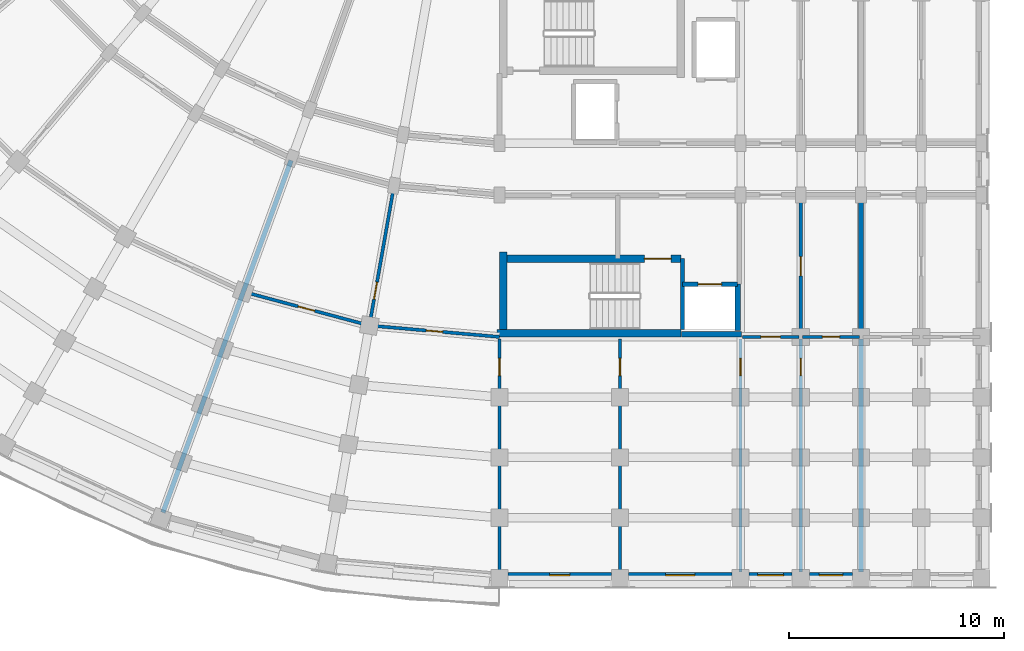
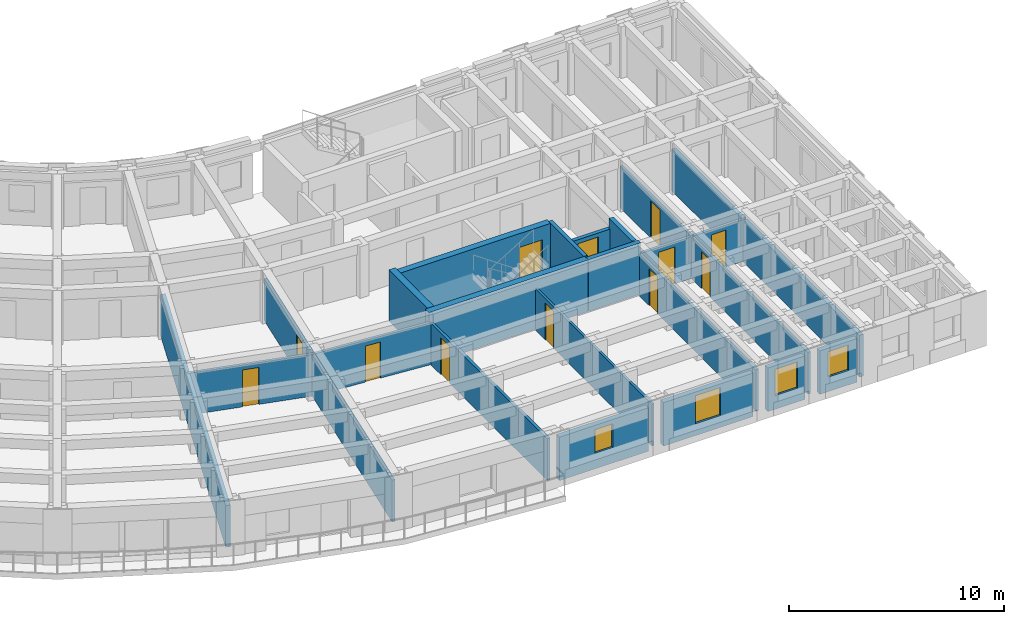
# One storey, part 36 of 76: 24 walls, 12 doors, 4 windows, 16 openings.
"""IFC4 building model written with IfcOpenShell, lengths in metres."""

from ifc_helpers import new_model, si_unit, direction, frame, frame_2d, origin, place, context, subcontext, project, spatial, rectangle, extrude, material, layer, layer_set, type_object, element, fill, save


model = new_model("IFC4")

# Units and contexts
model_context = context("Model", 3, precision=1e-05, world=origin(), true_north=direction((0.0, 1.0)))
body_context = subcontext(model_context, "Body", "Model", "MODEL_VIEW")
ifc_project = project(units=[si_unit("LENGTHUNIT", "METRE"), si_unit("AREAUNIT", "SQUARE_METRE"), si_unit("VOLUMEUNIT", "CUBIC_METRE"), si_unit("PLANEANGLEUNIT", "RADIAN"), si_unit("MASSUNIT", "GRAM", prefix="KILO")], contexts=[model_context])

# Site, building, storey
site_placement = place(None, origin())
site = spatial("IfcSite", under=ifc_project, at=site_placement, CompositionType="ELEMENT")
building_placement = place(site_placement, origin())
building = spatial("IfcBuilding", under=site, at=building_placement, Name="Kiranvali Square Residences", CompositionType="ELEMENT")
storey_placement = place(building_placement, frame((0.0, 0.0, 8.699951171875)))
storey = spatial("IfcBuildingStorey", under=building, at=storey_placement, Name="L02", CompositionType="ELEMENT", Elevation=8.699951171875)

# Walls
ifc_material_1 = material(Name="Autoclaved aerated concrete blockwork masonry", Category="masonry")
ifc_layer_1 = layer(ifc_material_1, 0.219970703125)
ifc_layer_set_1 = layer_set([ifc_layer_1], Name="Autoclaved aerated concrete blockwork masonry")
wall_type_1 = type_object("IfcWallType", Name="WL-DEM-220", PredefinedType="STANDARD", material=ifc_layer_set_1)
wall_1_placement = place(storey_placement, frame((65.0, 19.949951171875, 0.0), z_axis=(0.0, 0.0, 1.0), x_axis=(0.0, -1.0, 0.0)))
element("IfcWall", 1, at=wall_1_placement, inside=storey, type_object=wall_type_1, Name="L02 architectural wall WL-L02-C-A1TO1-2", PredefinedType="STANDARD", context=body_context, shape_type="SweptSolid", body=[
    extrude(rectangle(XDim=6.530029296875, YDim=0.219970703125, at=frame_2d((3.26513671875, 0.0))), origin(), (0.0, 0.0, 1.0), 2.3720703125),
])
wall_2_placement = place(storey_placement, frame((65.0, 13.300048828125, 0.0), z_axis=(0.0, 0.0, 1.0), x_axis=(0.0, -1.0, 0.0)))
element("IfcWall", 2, at=wall_2_placement, inside=storey, type_object=wall_type_1, Name="L02 architectural wall WL-L02-C-A1TO2-2", PredefinedType="STANDARD", context=body_context, shape_type="SweptSolid", body=[
    extrude(rectangle(XDim=10.820068359375, YDim=0.219970703125, at=frame_2d((5.41015625, 0.0))), origin(), (0.0, 0.0, 1.0), 2.3720703125),
])
ifc_layer_2 = layer(ifc_material_1, 0.22998046875)
ifc_layer_set_2 = layer_set([ifc_layer_2], Name="Autoclaved aerated concrete blockwork masonry")
wall_type_2 = type_object("IfcWallType", Name="WL-DEM-230", PredefinedType="STANDARD", material=ifc_layer_set_2)
wall_3_placement = place(storey_placement, frame((38.520751953125, 21.606689453125, 0.0), z_axis=(0.0, 0.0, 1.0), x_axis=(-0.342022120477, -0.939691901159, 0.0)))
element("IfcWall", 3, at=wall_3_placement, inside=storey, type_object=wall_type_2, Name="L02 architectural wall WL-L02-C-RADO-2", PredefinedType="STANDARD", context=body_context, shape_type="SweptSolid", body=[
    extrude(rectangle(XDim=17.419921875, YDim=0.22998046875, at=frame_2d((8.7099609375, 0.0))), origin(), (0.0, 0.0, 1.0), 2.3720703125),
])

# Wall, opening, window
ifc_material_2 = material(Name="Breathable lime-rendered clay brick masonry", Category="masonry")
ifc_layer_3 = layer(ifc_material_2, 0.27490234375)
ifc_layer_set_3 = layer_set([ifc_layer_3], Name="Breathable lime-rendered clay brick masonry")
wall_type_3 = type_object("IfcWallType", Name="WL-EXT-275", PredefinedType="STANDARD", material=ifc_layer_set_3)
wall_4_placement = place(storey_placement, frame((48.603515625, 2.324951171875, 0.0), z_axis=(0.0, 0.0, 1.0), x_axis=(1.0, 0.0, 0.0)))
wall_4 = element("IfcWall", 4, at=wall_4_placement, inside=storey, type_object=wall_type_3, Name="L02 exterior wall C-L02-A1O-0", PredefinedType="STANDARD", context=body_context, shape_type="SweptSolid", body=[
    extrude(rectangle(XDim=4.79296875, YDim=0.27490234375, at=frame_2d((2.396484375, 0.0))), origin(), (0.0, 0.0, 1.0), 2.47216796875),
])
opening_1_placement = place(wall_4_placement, frame((1.92138671875, 0.0, 0.8798828125)))
opening_1 = element("IfcOpeningElement", 5, at=opening_1_placement, cuts=wall_4, Name="Opening W-16", PredefinedType="OPENING", context=body_context, shape_type="SweptSolid", body=[
    extrude(rectangle(XDim=0.949951171875, YDim=1.35009765625, at=frame_2d((0.47509765625, 0.675048828125))), frame((0.0, 0.1474609375, 0.0), z_axis=(0.0, -1.0, 0.0), x_axis=(1.0, 0.0, 0.0)), (0.0, 0.0, 1.0), 0.294921875),
])
ifc_material_3 = material(Name="Solar-control low-e double glazing", Category="glass")
window_type_1 = type_object("IfcWindowType", Name="WIN-RES-950x1350", PartitioningType="SINGLE_PANEL", PredefinedType="WINDOW", material=ifc_material_3)
window_1_placement = place(opening_1_placement, origin())
window_1 = element("IfcWindow", 6, at=window_1_placement, inside=storey, type_object=window_type_1, Name="L02 recessed window C-L02-A1O-0", OverallHeight=1.35009765625, OverallWidth=0.949951171875, PartitioningType="SINGLE_PANEL", PredefinedType="WINDOW", context=body_context, shape_type="SweptSolid", body=[
    extrude(rectangle(XDim=0.949951171875, YDim=1.35009765625, at=frame_2d((0.47509765625, 0.675048828125))), frame((0.0, 0.030029296875, 0.0), z_axis=(0.0, -1.0, 0.0), x_axis=(1.0, 0.0, 0.0)), (0.0, 0.0, 1.0), 0.06005859375),
])
fill(opening_1, window_1)

wall_5_placement = place(storey_placement, frame((54.20361328125, 2.324951171875, 0.0), z_axis=(0.0, 0.0, 1.0), x_axis=(1.0, 0.0, 0.0)))
wall_5 = element("IfcWall", 7, at=wall_5_placement, inside=storey, type_object=wall_type_3, Name="L02 exterior wall C-L02-A1O-1", PredefinedType="STANDARD", context=body_context, shape_type="SweptSolid", body=[
    extrude(rectangle(XDim=4.79296875, YDim=0.27490234375, at=frame_2d((2.396484375, 0.0))), origin(), (0.0, 0.0, 1.0), 2.47216796875),
])
opening_2_placement = place(wall_5_placement, frame((1.721435546875, 0.0, 0.672119140625)))
opening_2 = element("IfcOpeningElement", 8, at=opening_2_placement, cuts=wall_5, Name="Opening W-14", PredefinedType="OPENING", context=body_context, shape_type="SweptSolid", body=[
    extrude(rectangle(XDim=1.35009765625, YDim=1.60009765625, at=frame_2d((0.675048828125, 0.800048828125))), frame((0.0, 0.1474609375, 0.0), z_axis=(0.0, -1.0, 0.0), x_axis=(1.0, 0.0, 0.0)), (0.0, 0.0, 1.0), 0.294921875),
])
window_type_2 = type_object("IfcWindowType", Name="WIN-RES-1350x1600", PartitioningType="DOUBLE_PANEL_VERTICAL", PredefinedType="WINDOW", material=ifc_material_3)
window_2_placement = place(opening_2_placement, origin())
window_2 = element("IfcWindow", 9, at=window_2_placement, inside=storey, type_object=window_type_2, Name="L02 recessed window C-L02-A1O-1", OverallHeight=1.60009765625, OverallWidth=1.35009765625, PartitioningType="DOUBLE_PANEL_VERTICAL", PredefinedType="WINDOW", context=body_context, shape_type="SweptSolid", body=[
    extrude(rectangle(XDim=1.35009765625, YDim=1.60009765625, at=frame_2d((0.675048828125, 0.800048828125))), frame((0.0, 0.030029296875, 0.0), z_axis=(0.0, -1.0, 0.0), x_axis=(1.0, 0.0, 0.0)), (0.0, 0.0, 1.0), 0.06005859375),
])
fill(opening_2, window_2)

wall_6_placement = place(storey_placement, frame((59.803466796875, 2.324951171875, 0.0), z_axis=(0.0, 0.0, 1.0), x_axis=(1.0, 0.0, 0.0)))
wall_6 = element("IfcWall", 10, at=wall_6_placement, inside=storey, type_object=wall_type_3, Name="L02 exterior wall C-L02-A1O-2", PredefinedType="STANDARD", context=body_context, shape_type="SweptSolid", body=[
    extrude(rectangle(XDim=1.992919921875, YDim=0.27490234375, at=frame_2d((0.99658203125, 0.0))), origin(), (0.0, 0.0, 1.0), 2.47216796875),
])
opening_3_placement = place(wall_6_placement, frame((0.396484375, 0.0, 0.77197265625)))
opening_3 = element("IfcOpeningElement", 11, at=opening_3_placement, cuts=wall_6, Name="Opening W-06", PredefinedType="OPENING", context=body_context, shape_type="SweptSolid", body=[
    extrude(rectangle(XDim=1.199951171875, YDim=1.5, at=frame_2d((0.60009765625, 0.75))), frame((0.0, 0.1474609375, 0.0), z_axis=(0.0, -1.0, 0.0), x_axis=(1.0, 0.0, 0.0)), (0.0, 0.0, 1.0), 0.294921875),
])
window_type_3 = type_object("IfcWindowType", Name="WIN-RES-1200x1500", PartitioningType="SINGLE_PANEL", PredefinedType="WINDOW", material=ifc_material_3)
window_3_placement = place(opening_3_placement, origin())
window_3 = element("IfcWindow", 12, at=window_3_placement, inside=storey, type_object=window_type_3, Name="L02 recessed window C-L02-A1O-2", OverallHeight=1.5, OverallWidth=1.199951171875, PartitioningType="SINGLE_PANEL", PredefinedType="WINDOW", context=body_context, shape_type="SweptSolid", body=[
    extrude(rectangle(XDim=1.199951171875, YDim=1.5, at=frame_2d((0.60009765625, 0.75))), frame((0.0, 0.030029296875, 0.0), z_axis=(0.0, -1.0, 0.0), x_axis=(1.0, 0.0, 0.0)), (0.0, 0.0, 1.0), 0.06005859375),
])
fill(opening_3, window_3)

wall_7_placement = place(storey_placement, frame((62.603515625, 2.324951171875, 0.0), z_axis=(0.0, 0.0, 1.0), x_axis=(1.0, 0.0, 0.0)))
wall_7 = element("IfcWall", 13, at=wall_7_placement, inside=storey, type_object=wall_type_3, Name="L02 exterior wall C-L02-A1O-3", PredefinedType="STANDARD", context=body_context, shape_type="SweptSolid", body=[
    extrude(rectangle(XDim=1.992919921875, YDim=0.27490234375, at=frame_2d((0.99658203125, 0.0))), origin(), (0.0, 0.0, 1.0), 2.47216796875),
])
opening_4_placement = place(wall_7_placement, frame((0.446533203125, 0.0, 0.822021484375)))
opening_4 = element("IfcOpeningElement", 14, at=opening_4_placement, cuts=wall_7, Name="Opening W-15", PredefinedType="OPENING", context=body_context, shape_type="SweptSolid", body=[
    extrude(rectangle(XDim=1.10009765625, YDim=1.449951171875, at=frame_2d((0.550048828125, 0.72509765625))), frame((0.0, 0.1474609375, 0.0), z_axis=(0.0, -1.0, 0.0), x_axis=(1.0, 0.0, 0.0)), (0.0, 0.0, 1.0), 0.294921875),
])
window_type_4 = type_object("IfcWindowType", Name="WIN-RES-1100x1450", PartitioningType="SINGLE_PANEL", PredefinedType="WINDOW", material=ifc_material_3)
window_4_placement = place(opening_4_placement, origin())
window_4 = element("IfcWindow", 15, at=window_4_placement, inside=storey, type_object=window_type_4, Name="L02 recessed window C-L02-A1O-3", OverallHeight=1.449951171875, OverallWidth=1.10009765625, PartitioningType="SINGLE_PANEL", PredefinedType="WINDOW", context=body_context, shape_type="SweptSolid", body=[
    extrude(rectangle(XDim=1.10009765625, YDim=1.449951171875, at=frame_2d((0.550048828125, 0.72509765625))), frame((0.0, 0.030029296875, 0.0), z_axis=(0.0, -1.0, 0.0), x_axis=(1.0, 0.0, 0.0)), (0.0, 0.0, 1.0), 0.06005859375),
])
fill(opening_4, window_4)

# Wall, opening, door
ifc_layer_4 = layer(ifc_material_1, 0.199951171875)
ifc_layer_set_4 = layer_set([ifc_layer_4], Name="Autoclaved aerated concrete blockwork masonry")
wall_type_4 = type_object("IfcWallType", Name="WL-FFL-200", PredefinedType="STANDARD", material=ifc_layer_set_4)
wall_8_placement = place(storey_placement, frame((56.699951171875, 15.85009765625, 0.0), z_axis=(0.0, 0.0, 1.0), x_axis=(1.0, 0.0, 0.0)))
wall_8 = element("IfcWall", 16, at=wall_8_placement, inside=storey, type_object=wall_type_4, Name="L02 architectural wall WL-L02-C-FF-LFT", PredefinedType="STANDARD", context=body_context, shape_type="SweptSolid", body=[
    extrude(rectangle(XDim=2.550048828125, YDim=0.199951171875, at=frame_2d((1.27490234375, 0.0))), origin(), (0.0, 0.0, 1.0), 2.3720703125),
])
opening_5_placement = place(wall_8_placement, frame((0.72509765625, 0.0, 0.0)))
opening_5 = element("IfcOpeningElement", 17, at=opening_5_placement, cuts=wall_8, Name="Opening LD-FF-110", PredefinedType="OPENING", context=body_context, shape_type="SweptSolid", body=[
    extrude(rectangle(XDim=1.10009765625, YDim=2.14990234375, at=frame_2d((0.550048828125, 1.074951171875))), frame((0.0, 0.10986328125, 0.0), z_axis=(0.0, -1.0, 0.0), x_axis=(1.0, 0.0, 0.0)), (0.0, 0.0, 1.0), 0.219970703125),
])
ifc_material_4 = material(Name="Fire-rated acoustic hardwood and mineral-core door assembly", Category="wood")
door_type_1 = type_object("IfcDoorType", Name="DR-LIFT-FF-1100", OperationType="SLIDING_TO_LEFT", PredefinedType="DOOR", material=ifc_material_4)
door_1_placement = place(opening_5_placement, origin())
door_1 = element("IfcDoor", 18, at=door_1_placement, inside=storey, type_object=door_type_1, Name="L02 door DR-L02-1847 (DR-LIFT-FF-1100)", OperationType="SLIDING_TO_LEFT", OverallHeight=2.14990234375, OverallWidth=1.10009765625, PredefinedType="DOOR", context=body_context, shape_type="SweptSolid", body=[
    extrude(rectangle(XDim=1.10009765625, YDim=2.14990234375, at=frame_2d((0.550048828125, 1.074951171875))), frame((0.0, 0.02490234375, 0.0), z_axis=(0.0, -1.0, 0.0), x_axis=(1.0, 0.0, 0.0)), (0.0, 0.0, 1.0), 0.050048828125),
])
fill(opening_5, door_1)

ifc_material_5 = material(Name="Acoustic gypsum board drylined partition", Category="gypsum")
ifc_layer_5 = layer(ifc_material_5, 0.125)
ifc_layer_set_5 = layer_set([ifc_layer_5], Name="Acoustic gypsum board drylined partition")
wall_type_5 = type_object("IfcWallType", Name="WL-PRT-125", PredefinedType="PARTITIONING", material=ifc_layer_set_5)
wall_9_placement = place(storey_placement, frame((53.800048828125, 13.300048828125, 0.0), z_axis=(0.0, 0.0, 1.0), x_axis=(0.0, -1.0, 0.0)))
wall_9 = element("IfcWall", 19, at=wall_9_placement, inside=storey, type_object=wall_type_5, Name="L02 architectural wall WL-L02-C-CF-MID", PredefinedType="PARTITIONING", context=body_context, shape_type="SweptSolid", body=[
    extrude(rectangle(XDim=10.820068359375, YDim=0.125, at=frame_2d((5.41015625, 0.0))), origin(), (0.0, 0.0, 1.0), 2.3720703125),
])
opening_6_placement = place(wall_9_placement, frame((0.8994140625, 0.0, 0.0)))
opening_6 = element("IfcOpeningElement", 20, at=opening_6_placement, cuts=wall_9, Name="Opening ID-WET", PredefinedType="OPENING", context=body_context, shape_type="SweptSolid", body=[
    extrude(rectangle(XDim=0.800048828125, YDim=2.10009765625, at=frame_2d((0.39990234375, 1.050048828125))), frame((0.0, 0.072509765625, 0.0), z_axis=(0.0, -1.0, 0.0), x_axis=(1.0, 0.0, 0.0)), (0.0, 0.0, 1.0), 0.14501953125),
])
ifc_material_6 = material(Name="Solid seasoned teak hardwood joinery", Category="wood")
door_type_2 = type_object("IfcDoorType", Name="DR-WET-800", OperationType="NOTDEFINED", PredefinedType="DOOR", material=ifc_material_6)
door_2_placement = place(opening_6_placement, frame((0.800048828125, 0.0, 0.0), z_axis=(0.0, 0.0, 1.0), x_axis=(-1.0, 0.0, 0.0)))
door_2 = element("IfcDoor", 21, at=door_2_placement, inside=storey, type_object=door_type_2, Name="L02 door DR-L02-1856 (DR-WET-800)", OperationType="SINGLE_SWING_RIGHT", OverallHeight=2.10009765625, OverallWidth=0.800048828125, PredefinedType="DOOR", context=body_context, shape_type="SweptSolid", body=[
    extrude(rectangle(XDim=0.800048828125, YDim=2.10009765625, at=frame_2d((0.39990234375, 1.050048828125))), frame((0.0, 0.02490234375, 0.0), z_axis=(0.0, -1.0, 0.0), x_axis=(1.0, 0.0, 0.0)), (0.0, 0.0, 1.0), 0.050048828125),
])
fill(opening_6, door_2)

ifc_layer_6 = layer(ifc_material_5, 0.14990234375)
ifc_layer_set_6 = layer_set([ifc_layer_6], Name="Acoustic gypsum board drylined partition")
wall_type_6 = type_object("IfcWallType", Name="WL-PRT-150", PredefinedType="PARTITIONING", material=ifc_layer_set_6)
wall_10_placement = place(storey_placement, frame((59.39990234375, 13.300048828125, 0.0), z_axis=(0.0, 0.0, 1.0), x_axis=(0.0, -1.0, 0.0)))
wall_10 = element("IfcWall", 22, at=wall_10_placement, inside=storey, type_object=wall_type_6, Name="L02 architectural wall WL-L02-C-A1TO2-0", PredefinedType="PARTITIONING", context=body_context, shape_type="SweptSolid", body=[
    extrude(rectangle(XDim=10.820068359375, YDim=0.14990234375, at=frame_2d((5.41015625, 0.0))), origin(), (0.0, 0.0, 1.0), 2.3720703125),
])
opening_7_placement = place(wall_10_placement, frame((0.8994140625, 0.0, 0.0)))
opening_7 = element("IfcOpeningElement", 23, at=opening_7_placement, cuts=wall_10, Name="Opening ID-WET", PredefinedType="OPENING", context=body_context, shape_type="SweptSolid", body=[
    extrude(rectangle(XDim=0.800048828125, YDim=2.10009765625, at=frame_2d((0.39990234375, 1.050048828125))), frame((0.0, 0.0849609375, 0.0), z_axis=(0.0, -1.0, 0.0), x_axis=(1.0, 0.0, 0.0)), (0.0, 0.0, 1.0), 0.169921875),
])
door_3_placement = place(opening_7_placement, origin())
door_3 = element("IfcDoor", 24, at=door_3_placement, inside=storey, type_object=door_type_2, Name="L02 door DR-L02-1865 (DR-WET-800)", OperationType="SINGLE_SWING_LEFT", OverallHeight=2.10009765625, OverallWidth=0.800048828125, PredefinedType="DOOR", context=body_context, shape_type="SweptSolid", body=[
    extrude(rectangle(XDim=0.800048828125, YDim=2.10009765625, at=frame_2d((0.39990234375, 1.050048828125))), frame((0.0, 0.02490234375, 0.0), z_axis=(0.0, -1.0, 0.0), x_axis=(1.0, 0.0, 0.0)), (0.0, 0.0, 1.0), 0.050048828125),
])
fill(opening_7, door_3)

wall_11_placement = place(storey_placement, frame((62.199951171875, 19.949951171875, 0.0), z_axis=(0.0, 0.0, 1.0), x_axis=(0.0, -1.0, 0.0)))
wall_11 = element("IfcWall", 25, at=wall_11_placement, inside=storey, type_object=wall_type_6, Name="L02 architectural wall WL-L02-C-A1TO1-1", PredefinedType="PARTITIONING", context=body_context, shape_type="SweptSolid", body=[
    extrude(rectangle(XDim=6.530029296875, YDim=0.14990234375, at=frame_2d((3.26513671875, 0.0))), origin(), (0.0, 0.0, 1.0), 2.3720703125),
])
opening_8_placement = place(wall_11_placement, frame((2.81494140625, 0.0, 0.0)))
opening_8 = element("IfcOpeningElement", 26, at=opening_8_placement, cuts=wall_11, Name="Opening ID-1", PredefinedType="OPENING", context=body_context, shape_type="SweptSolid", body=[
    extrude(rectangle(XDim=0.89990234375, YDim=2.10009765625, at=frame_2d((0.449951171875, 1.050048828125))), frame((0.0, 0.0849609375, 0.0), z_axis=(0.0, -1.0, 0.0), x_axis=(1.0, 0.0, 0.0)), (0.0, 0.0, 1.0), 0.169921875),
])
door_type_3 = type_object("IfcDoorType", Name="DR-INT-900", OperationType="NOTDEFINED", PredefinedType="DOOR", material=ifc_material_6)
door_4_placement = place(opening_8_placement, origin())
door_4 = element("IfcDoor", 27, at=door_4_placement, inside=storey, type_object=door_type_3, Name="L02 door DR-L02-1867 (DR-INT-900)", OperationType="SINGLE_SWING_LEFT", OverallHeight=2.10009765625, OverallWidth=0.89990234375, PredefinedType="DOOR", context=body_context, shape_type="SweptSolid", body=[
    extrude(rectangle(XDim=0.89990234375, YDim=2.10009765625, at=frame_2d((0.449951171875, 1.050048828125))), frame((0.0, 0.02490234375, 0.0), z_axis=(0.0, -1.0, 0.0), x_axis=(1.0, 0.0, 0.0)), (0.0, 0.0, 1.0), 0.050048828125),
])
fill(opening_8, door_4)

wall_12_placement = place(storey_placement, frame((62.199951171875, 13.300048828125, 0.0), z_axis=(0.0, 0.0, 1.0), x_axis=(0.0, -1.0, 0.0)))
wall_12 = element("IfcWall", 28, at=wall_12_placement, inside=storey, type_object=wall_type_6, Name="L02 architectural wall WL-L02-C-A1TO2-1", PredefinedType="PARTITIONING", context=body_context, shape_type="SweptSolid", body=[
    extrude(rectangle(XDim=10.820068359375, YDim=0.14990234375, at=frame_2d((5.41015625, 0.0))), origin(), (0.0, 0.0, 1.0), 2.3720703125),
])
opening_9_placement = place(wall_12_placement, frame((0.8994140625, 0.0, 0.0)))
opening_9 = element("IfcOpeningElement", 29, at=opening_9_placement, cuts=wall_12, Name="Opening ID-WET", PredefinedType="OPENING", context=body_context, shape_type="SweptSolid", body=[
    extrude(rectangle(XDim=0.800048828125, YDim=2.10009765625, at=frame_2d((0.39990234375, 1.050048828125))), frame((0.0, 0.0849609375, 0.0), z_axis=(0.0, -1.0, 0.0), x_axis=(1.0, 0.0, 0.0)), (0.0, 0.0, 1.0), 0.169921875),
])
door_5_placement = place(opening_9_placement, frame((0.800048828125, 0.0, 0.0), z_axis=(0.0, 0.0, 1.0), x_axis=(-1.0, 0.0, 0.0)))
door_5 = element("IfcDoor", 30, at=door_5_placement, inside=storey, type_object=door_type_2, Name="L02 door DR-L02-1868 (DR-WET-800)", OperationType="SINGLE_SWING_RIGHT", OverallHeight=2.10009765625, OverallWidth=0.800048828125, PredefinedType="DOOR", context=body_context, shape_type="SweptSolid", body=[
    extrude(rectangle(XDim=0.800048828125, YDim=2.10009765625, at=frame_2d((0.39990234375, 1.050048828125))), frame((0.0, 0.02490234375, 0.0), z_axis=(0.0, -1.0, 0.0), x_axis=(1.0, 0.0, 0.0)), (0.0, 0.0, 1.0), 0.050048828125),
])
fill(opening_9, door_5)

wall_13_placement = place(storey_placement, frame((48.199951171875, 13.300048828125, 0.0), z_axis=(0.0, 0.0, 1.0), x_axis=(0.0, -1.0, 0.0)))
wall_13 = element("IfcWall", 31, at=wall_13_placement, inside=storey, type_object=wall_type_6, Name="L02 architectural wall WL-L02-C-RADO-0", PredefinedType="PARTITIONING", context=body_context, shape_type="SweptSolid", body=[
    extrude(rectangle(XDim=10.820068359375, YDim=0.14990234375, at=frame_2d((5.41015625, 0.0))), origin(), (0.0, 0.0, 1.0), 2.3720703125),
])
opening_10_placement = place(wall_13_placement, frame((0.8994140625, 0.0, 0.0)))
opening_10 = element("IfcOpeningElement", 32, at=opening_10_placement, cuts=wall_13, Name="Opening ID-WET", PredefinedType="OPENING", context=body_context, shape_type="SweptSolid", body=[
    extrude(rectangle(XDim=0.800048828125, YDim=2.10009765625, at=frame_2d((0.39990234375, 1.050048828125))), frame((0.0, 0.0849609375, 0.0), z_axis=(0.0, -1.0, 0.0), x_axis=(1.0, 0.0, 0.0)), (0.0, 0.0, 1.0), 0.169921875),
])
door_6_placement = place(opening_10_placement, frame((0.800048828125, 0.0, 0.0), z_axis=(0.0, 0.0, 1.0), x_axis=(-1.0, 0.0, 0.0)))
door_6 = element("IfcDoor", 33, at=door_6_placement, inside=storey, type_object=door_type_2, Name="L02 door DR-L02-1872 (DR-WET-800)", OperationType="SINGLE_SWING_RIGHT", OverallHeight=2.10009765625, OverallWidth=0.800048828125, PredefinedType="DOOR", context=body_context, shape_type="SweptSolid", body=[
    extrude(rectangle(XDim=0.800048828125, YDim=2.10009765625, at=frame_2d((0.39990234375, 1.050048828125))), frame((0.0, 0.02490234375, 0.0), z_axis=(0.0, -1.0, 0.0), x_axis=(1.0, 0.0, 0.0)), (0.0, 0.0, 1.0), 0.050048828125),
])
fill(opening_10, door_6)

wall_14_placement = place(storey_placement, frame((43.28564453125, 20.329833984375, 0.0), z_axis=(0.0, 0.0, 1.0), x_axis=(-0.173646216546, -0.984808098809, 0.0)))
wall_14 = element("IfcWall", 34, at=wall_14_placement, inside=storey, type_object=wall_type_6, Name="L02 architectural wall WL-L02-C-RADO-1", PredefinedType="PARTITIONING", context=body_context, shape_type="SweptSolid", body=[
    extrude(rectangle(XDim=17.419921875, YDim=0.14990234375, at=frame_2d((8.7099609375, 0.0))), origin(), (0.0, 0.0, 1.0), 2.3720703125),
])
opening_11_placement = place(wall_14_placement, frame((4.44970703125, 0.0, 0.0)))
opening_11 = element("IfcOpeningElement", 35, at=opening_11_placement, cuts=wall_14, Name="Opening ID-WET", PredefinedType="OPENING", context=body_context, shape_type="SweptSolid", body=[
    extrude(rectangle(XDim=0.800048828125, YDim=2.10009765625, at=frame_2d((0.39990234375, 1.050048828125))), frame((0.0, 0.0849609375, 0.0), z_axis=(0.0, -1.0, 0.0), x_axis=(1.0, 0.0, 0.0)), (0.0, 0.0, 1.0), 0.169921875),
])
door_7_placement = place(opening_11_placement, origin())
door_7 = element("IfcDoor", 36, at=door_7_placement, inside=storey, type_object=door_type_2, Name="L02 door DR-L02-1873 (DR-WET-800)", OperationType="SINGLE_SWING_LEFT", OverallHeight=2.10009765625, OverallWidth=0.800048828125, PredefinedType="DOOR", context=body_context, shape_type="SweptSolid", body=[
    extrude(rectangle(XDim=0.800048828125, YDim=2.10009765625, at=frame_2d((0.39990234375, 1.050048828125))), frame((0.0, 0.02490234375, 0.0), z_axis=(0.0, -1.0, 0.0), x_axis=(1.0, 0.0, 0.0)), (0.0, 0.0, 1.0), 0.050048828125),
])
fill(opening_11, door_7)

# Walls
ifc_layer_7 = layer(ifc_material_1, 0.199951171875)
ifc_layer_set_7 = layer_set([ifc_layer_7], Name="Autoclaved aerated concrete blockwork masonry")
wall_type_7 = type_object("IfcWallType", Name="WL-SHF-200", PredefinedType="STANDARD", material=ifc_layer_set_7)
wall_15_placement = place(storey_placement, frame((56.699951171875, 17.050048828125, 0.0), z_axis=(0.0, 0.0, 1.0), x_axis=(0.0, -1.0, 0.0)))
element("IfcWall", 37, at=wall_15_placement, inside=storey, type_object=wall_type_7, Name="L02 architectural wall WL-L02-C-FF-SHF", PredefinedType="STANDARD", context=body_context, shape_type="SweptSolid", body=[
    extrude(rectangle(XDim=3.300048828125, YDim=0.199951171875, at=frame_2d((1.64990234375, 0.0))), origin(), (0.0, 0.0, 1.0), 2.929931640625),
])
ifc_material_7 = material(Name="Concrete M45 (45 MPa)", Category="concrete")
ifc_layer_8 = layer(ifc_material_7, 0.25)
ifc_layer_set_8 = layer_set([ifc_layer_8], Name="Concrete M45 (45 MPa)")
wall_type_8 = type_object("IfcWallType", Name="WL-SHR-250", PredefinedType="SHEAR", material=ifc_layer_set_8)
wall_16_placement = place(storey_placement, frame((56.64990234375, 13.52490234375, 0.0), z_axis=(0.0, 0.0, 1.0), x_axis=(1.0, 0.0, 0.0)))
element("IfcWall", 38, at=wall_16_placement, inside=storey, type_object=wall_type_8, Name="Block C core shear wall SW-CFF-BK-L02", PredefinedType="SHEAR", context=body_context, shape_type="SweptSolid", body=[
    extrude(rectangle(XDim=2.800048828125, YDim=0.25, at=frame_2d((1.39990234375, 0.0))), origin(), (0.0, 0.0, 1.0), 2.929931640625),
])
wall_17_placement = place(storey_placement, frame((59.27490234375, 15.85009765625, 0.0), z_axis=(0.0, 0.0, 1.0), x_axis=(0.0, -1.0, 0.0)))
element("IfcWall", 39, at=wall_17_placement, inside=storey, type_object=wall_type_8, Name="Block C core shear wall SW-CFF-SD-L02", PredefinedType="SHEAR", context=body_context, shape_type="SweptSolid", body=[
    extrude(rectangle(XDim=2.150146484375, YDim=0.25, at=frame_2d((1.0751953125, 0.0))), origin(), (0.0, 0.0, 1.0), 2.929931640625),
])
ifc_material_8 = material(Name="Concrete M50 (50 MPa)", Category="concrete")
ifc_layer_9 = layer(ifc_material_8, 0.35009765625)
ifc_layer_set_9 = layer_set([ifc_layer_9], Name="Concrete M50 (50 MPa)")
wall_type_9 = type_object("IfcWallType", Name="WL-SHR-350", PredefinedType="SHEAR", material=ifc_layer_set_9)
wall_18_placement = place(storey_placement, frame((48.080078125, 13.574951171875, 0.0), z_axis=(0.0, 0.0, 1.0), x_axis=(1.0, 0.0, 0.0)))
element("IfcWall", 40, at=wall_18_placement, inside=storey, type_object=wall_type_9, Name="Block C core shear wall SW-C1-OUT-L02", PredefinedType="SHEAR", context=body_context, shape_type="SweptSolid", body=[
    extrude(rectangle(XDim=8.544921875, YDim=0.35009765625, at=frame_2d((4.2724609375, 0.0))), origin(), (0.0, 0.0, 1.0), 2.929931640625),
])

# Wall, opening, door
wall_19_placement = place(storey_placement, frame((48.550048828125, 17.02490234375, 0.0), z_axis=(0.0, 0.0, 1.0), x_axis=(1.0, 0.0, 0.0)))
wall_19 = element("IfcWall", 41, at=wall_19_placement, inside=storey, type_object=wall_type_9, Name="Block C core shear wall SW-C1-IN-L02", PredefinedType="SHEAR", context=body_context, shape_type="SweptSolid", body=[
    extrude(rectangle(XDim=8.074951171875, YDim=0.35009765625, at=frame_2d((4.03759765625, 0.0))), origin(), (0.0, 0.0, 1.0), 2.929931640625),
])
opening_12_placement = place(wall_19_placement, frame((6.3798828125, 0.0, 0.0)))
opening_12 = element("IfcOpeningElement", 42, at=opening_12_placement, cuts=wall_19, Name="Opening FD-ST-120", PredefinedType="OPENING", context=body_context, shape_type="SweptSolid", body=[
    extrude(rectangle(XDim=1.239990234375, YDim=2.14990234375, at=frame_2d((0.6201171875, 1.074951171875))), frame((0.0, 0.18505859375, 0.0), z_axis=(0.0, -1.0, 0.0), x_axis=(1.0, 0.0, 0.0)), (0.0, 0.0, 1.0), 0.3701171875),
])
door_type_4 = type_object("IfcDoorType", Name="DR-FD120-1200", OperationType="NOTDEFINED", PredefinedType="DOOR", material=ifc_material_4)
door_8_placement = place(opening_12_placement, frame((1.239990234375, 0.0, 0.0), z_axis=(0.0, 0.0, 1.0), x_axis=(-1.0, 0.0, 0.0)))
door_8 = element("IfcDoor", 43, at=door_8_placement, inside=storey, type_object=door_type_4, Name="L02 door DR-L02-1848 (DR-FD120-1200)", OperationType="SINGLE_SWING_RIGHT", OverallHeight=2.14990234375, OverallWidth=1.239990234375, PredefinedType="DOOR", context=body_context, shape_type="SweptSolid", body=[
    extrude(rectangle(XDim=1.239990234375, YDim=2.14990234375, at=frame_2d((0.6201171875, 1.074951171875))), frame((0.0, 0.02490234375, 0.0), z_axis=(0.0, -1.0, 0.0), x_axis=(1.0, 0.0, 0.0)), (0.0, 0.0, 1.0), 0.050048828125),
])
fill(opening_12, door_8)

# Wall
wall_20_placement = place(storey_placement, frame((48.375, 17.35009765625, 0.0), z_axis=(0.0, 0.0, 1.0), x_axis=(0.0, -1.0, 0.0)))
element("IfcWall", 44, at=wall_20_placement, inside=storey, type_object=wall_type_9, Name="Block C core shear wall SW-C1-FAR-L02", PredefinedType="SHEAR", context=body_context, shape_type="SweptSolid", body=[
    extrude(rectangle(XDim=3.60009765625, YDim=0.35009765625, at=frame_2d((1.800048828125, 0.0))), origin(), (0.0, 0.0, 1.0), 2.929931640625),
])

# Wall, opening, door
ifc_layer_10 = layer(ifc_material_1, 0.14990234375)
ifc_layer_set_10 = layer_set([ifc_layer_10], Name="Autoclaved aerated concrete blockwork masonry")
wall_type_10 = type_object("IfcWallType", Name="WL-WET-150", PredefinedType="PLUMBINGWALL", material=ifc_layer_set_10)
wall_21_placement = place(storey_placement, frame((59.47998046875, 13.39990234375, 0.0), z_axis=(0.0, 0.0, 1.0), x_axis=(1.0, 0.0, 0.0)))
wall_21 = element("IfcWall", 45, at=wall_21_placement, inside=storey, type_object=wall_type_10, Name="L02 architectural wall WL-L02-C-A1SP-0", PredefinedType="PLUMBINGWALL", context=body_context, shape_type="SweptSolid", body=[
    extrude(rectangle(XDim=2.64013671875, YDim=0.14990234375, at=frame_2d((1.320068359375, 0.0))), origin(), (0.0, 0.0, 1.0), 2.3720703125),
])
opening_13_placement = place(wall_21_placement, frame((0.8701171875, 0.0, 0.0)))
opening_13 = element("IfcOpeningElement", 46, at=opening_13_placement, cuts=wall_21, Name="Opening ID-1", PredefinedType="OPENING", context=body_context, shape_type="SweptSolid", body=[
    extrude(rectangle(XDim=0.89990234375, YDim=2.10009765625, at=frame_2d((0.449951171875, 1.050048828125))), frame((0.0, 0.0849609375, 0.0), z_axis=(0.0, -1.0, 0.0), x_axis=(1.0, 0.0, 0.0)), (0.0, 0.0, 1.0), 0.169921875),
])
door_9_placement = place(opening_13_placement, frame((0.89990234375, 0.0, 0.0), z_axis=(0.0, 0.0, 1.0), x_axis=(-1.0, 0.0, 0.0)))
door_9 = element("IfcDoor", 47, at=door_9_placement, inside=storey, type_object=door_type_3, Name="L02 door DR-L02-1858 (DR-INT-900)", OperationType="SINGLE_SWING_RIGHT", OverallHeight=2.10009765625, OverallWidth=0.89990234375, PredefinedType="DOOR", context=body_context, shape_type="SweptSolid", body=[
    extrude(rectangle(XDim=0.89990234375, YDim=2.10009765625, at=frame_2d((0.449951171875, 1.050048828125))), frame((0.0, 0.02490234375, 0.0), z_axis=(0.0, -1.0, 0.0), x_axis=(1.0, 0.0, 0.0)), (0.0, 0.0, 1.0), 0.050048828125),
])
fill(opening_13, door_9)

wall_22_placement = place(storey_placement, frame((62.280029296875, 13.39990234375, 0.0), z_axis=(0.0, 0.0, 1.0), x_axis=(1.0, 0.0, 0.0)))
wall_22 = element("IfcWall", 48, at=wall_22_placement, inside=storey, type_object=wall_type_10, Name="L02 architectural wall WL-L02-C-A1SP-1", PredefinedType="PLUMBINGWALL", context=body_context, shape_type="SweptSolid", body=[
    extrude(rectangle(XDim=2.639892578125, YDim=0.14990234375, at=frame_2d((1.31982421875, 0.0))), origin(), (0.0, 0.0, 1.0), 2.3720703125),
])
opening_14_placement = place(wall_22_placement, frame((0.919921875, 0.0, 0.0)))
opening_14 = element("IfcOpeningElement", 49, at=opening_14_placement, cuts=wall_22, Name="Opening ID-WET", PredefinedType="OPENING", context=body_context, shape_type="SweptSolid", body=[
    extrude(rectangle(XDim=0.800048828125, YDim=2.10009765625, at=frame_2d((0.39990234375, 1.050048828125))), frame((0.0, 0.0849609375, 0.0), z_axis=(0.0, -1.0, 0.0), x_axis=(1.0, 0.0, 0.0)), (0.0, 0.0, 1.0), 0.169921875),
])
door_10_placement = place(opening_14_placement, frame((0.800048828125, 0.0, 0.0), z_axis=(0.0, 0.0, 1.0), x_axis=(-1.0, 0.0, 0.0)))
door_10 = element("IfcDoor", 50, at=door_10_placement, inside=storey, type_object=door_type_2, Name="L02 door DR-L02-1860 (DR-WET-800)", OperationType="SINGLE_SWING_RIGHT", OverallHeight=2.10009765625, OverallWidth=0.800048828125, PredefinedType="DOOR", context=body_context, shape_type="SweptSolid", body=[
    extrude(rectangle(XDim=0.800048828125, YDim=2.10009765625, at=frame_2d((0.39990234375, 1.050048828125))), frame((0.0, 0.02490234375, 0.0), z_axis=(0.0, -1.0, 0.0), x_axis=(1.0, 0.0, 0.0)), (0.0, 0.0, 1.0), 0.050048828125),
])
fill(opening_14, door_10)

wall_23_placement = place(storey_placement, frame((48.199951171875, 13.39990234375, 0.0), z_axis=(0.0, 0.0, 1.0), x_axis=(-0.996193018494, 0.087174938512, 0.0)))
wall_23 = element("IfcWall", 51, at=wall_23_placement, inside=storey, type_object=wall_type_10, Name="L02 architectural wall WL-L02-C-CWET-0", PredefinedType="PLUMBINGWALL", context=body_context, shape_type="SweptSolid", body=[
    extrude(rectangle(XDim=6.066162109375, YDim=0.14990234375, at=frame_2d((3.033203125, 0.0))), origin(), (0.0, 0.0, 1.0), 2.3720703125),
])
opening_15_placement = place(wall_23_placement, frame((2.653076171875, 0.0, 0.0)))
opening_15 = element("IfcOpeningElement", 52, at=opening_15_placement, cuts=wall_23, Name="Opening ID-WET0", PredefinedType="OPENING", context=body_context, shape_type="SweptSolid", body=[
    extrude(rectangle(XDim=0.760009765625, YDim=2.050048828125, at=frame_2d((0.3798828125, 1.02490234375))), frame((0.0, 0.0849609375, 0.0), z_axis=(0.0, -1.0, 0.0), x_axis=(1.0, 0.0, 0.0)), (0.0, 0.0, 1.0), 0.169921875),
])
door_type_5 = type_object("IfcDoorType", Name="DR-WET-760", OperationType="NOTDEFINED", PredefinedType="DOOR", material=ifc_material_6)
door_11_placement = place(opening_15_placement, origin())
door_11 = element("IfcDoor", 53, at=door_11_placement, inside=storey, type_object=door_type_5, Name="L02 door DR-L02-1879 (DR-WET-760)", OperationType="SINGLE_SWING_LEFT", OverallHeight=2.050048828125, OverallWidth=0.760009765625, PredefinedType="DOOR", context=body_context, shape_type="SweptSolid", body=[
    extrude(rectangle(XDim=0.760009765625, YDim=2.050048828125, at=frame_2d((0.3798828125, 1.02490234375))), frame((0.0, 0.02490234375, 0.0), z_axis=(0.0, -1.0, 0.0), x_axis=(1.0, 0.0, 0.0)), (0.0, 0.0, 1.0), 0.050048828125),
])
fill(opening_15, door_11)

wall_24_placement = place(storey_placement, frame((42.156982421875, 13.9287109375, 0.0), z_axis=(0.0, 0.0, 1.0), x_axis=(-0.965923618901, 0.258827283048, 0.0)))
wall_24 = element("IfcWall", 54, at=wall_24_placement, inside=storey, type_object=wall_type_10, Name="L02 architectural wall WL-L02-C-CWET-1", PredefinedType="PLUMBINGWALL", context=body_context, shape_type="SweptSolid", body=[
    extrude(rectangle(XDim=6.066162109375, YDim=0.14990234375, at=frame_2d((3.033203125, 0.0))), origin(), (0.0, 0.0, 1.0), 2.3720703125),
])
opening_16_placement = place(wall_24_placement, frame((2.633056640625, 0.0, 0.0)))
opening_16 = element("IfcOpeningElement", 55, at=opening_16_placement, cuts=wall_24, Name="Opening ID-WET", PredefinedType="OPENING", context=body_context, shape_type="SweptSolid", body=[
    extrude(rectangle(XDim=0.800048828125, YDim=2.10009765625, at=frame_2d((0.39990234375, 1.050048828125))), frame((0.0, 0.0849609375, 0.0), z_axis=(0.0, -1.0, 0.0), x_axis=(1.0, 0.0, 0.0)), (0.0, 0.0, 1.0), 0.169921875),
])
door_12_placement = place(opening_16_placement, frame((0.800048828125, 0.0, 0.0), z_axis=(0.0, 0.0, 1.0), x_axis=(-1.0, 0.0, 0.0)))
door_12 = element("IfcDoor", 56, at=door_12_placement, inside=storey, type_object=door_type_2, Name="L02 door DR-L02-1880 (DR-WET-800)", OperationType="SINGLE_SWING_RIGHT", OverallHeight=2.10009765625, OverallWidth=0.800048828125, PredefinedType="DOOR", context=body_context, shape_type="SweptSolid", body=[
    extrude(rectangle(XDim=0.800048828125, YDim=2.10009765625, at=frame_2d((0.39990234375, 1.050048828125))), frame((0.0, 0.02490234375, 0.0), z_axis=(0.0, -1.0, 0.0), x_axis=(1.0, 0.0, 0.0)), (0.0, 0.0, 1.0), 0.050048828125),
])
fill(opening_16, door_12)

save(model, "model.ifc")
